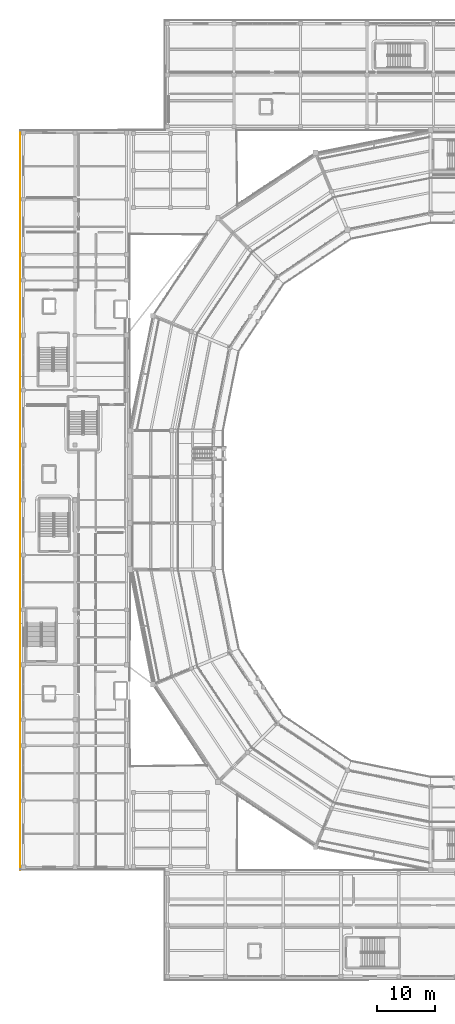
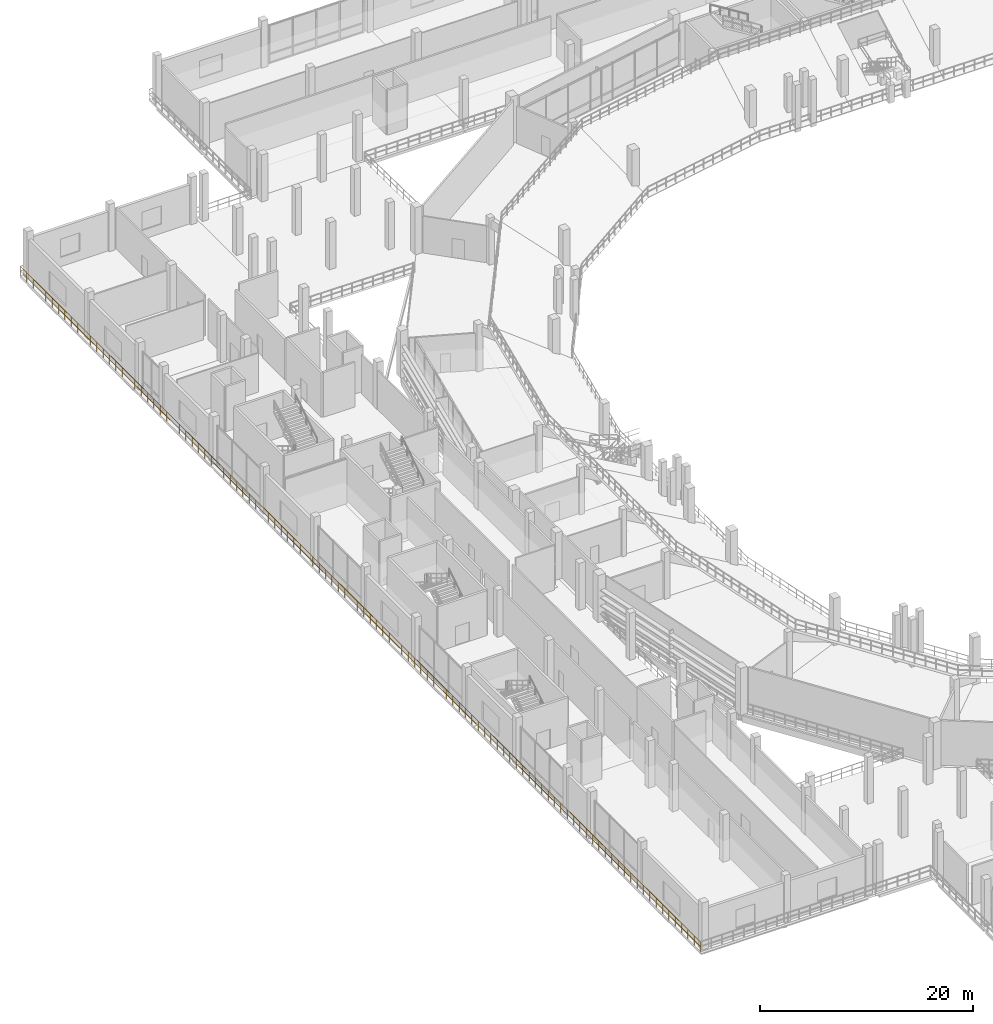
# One storey, part 104 of 127: 1 railing.
"""IFC4 building model written with IfcOpenShell, lengths in metres."""

from ifc_helpers import new_model, si_unit, direction, frame, origin, origin_2d, place, context, subcontext, project, spatial, circle, extrude, material, layer, layer_set, type_object, element, save


model = new_model("IFC4")

# Units and contexts
model_context = context("Model", 3, precision=1e-05, world=origin(), true_north=direction((0.0, 1.0)))
body_context = subcontext(model_context, "Body", "Model", "MODEL_VIEW")
ifc_project = project(units=[si_unit("LENGTHUNIT", "METRE"), si_unit("AREAUNIT", "SQUARE_METRE"), si_unit("VOLUMEUNIT", "CUBIC_METRE"), si_unit("PLANEANGLEUNIT", "RADIAN"), si_unit("MASSUNIT", "GRAM", prefix="KILO")], contexts=[model_context])

# Site, building, storey
site_placement = place(None, origin())
site = spatial("IfcSite", under=ifc_project, at=site_placement, CompositionType="ELEMENT")
building_placement = place(site_placement, origin())
building = spatial("IfcBuilding", under=site, at=building_placement, Name="Candeia Ridge Stadium", CompositionType="ELEMENT")
storey_placement = place(building_placement, frame((0.0, 0.0, 10.800048828125)))
storey = spatial("IfcBuildingStorey", under=building, at=storey_placement, Name="L02", CompositionType="ELEMENT", Elevation=10.800048828125)

# Railing
ifc_material = material(Name="Galvanized Powder-Coated Steel", Category="steel")
ifc_layer = layer(ifc_material, 0.074951171875, Name="Galvanized Powder-Coated Steel", Category="steel")
ifc_layer_set = layer_set([ifc_layer], Name="Galvanized Powder-Coated Steel")
railing_type = type_object("IfcRailingType", Name="Spectator Bowl Front Guardrail 1120", PredefinedType="GUARDRAIL", material=ifc_layer_set)
railing_placement = place(storey_placement, frame((0.0, 19.0, 0.0)))
element("IfcRailing", 1, at=railing_placement, inside=storey, type_object=railing_type, Name="Deck edge safety guardrail GR-DE-L02-0053", PredefinedType="GUARDRAIL", context=body_context, shape_type="SweptSolid", body=[
    extrude(circle(Radius=0.02392578125, at=origin_2d()), frame((0.0, 0.0, 1.09619140625), z_axis=(0.0, 1.0, 0.0), x_axis=(-1.0, 0.0, 0.0)), (0.0, 0.0, 1.0), 127.919921875),
    extrude(circle(Radius=0.02392578125, at=origin_2d()), frame((0.0, 0.0, 0.56005859375), z_axis=(0.0, 1.0, 0.0), x_axis=(-1.0, 0.0, 0.0)), (0.0, 0.0, 1.0), 127.919921875),
    extrude(circle(Radius=0.02099609375, at=origin_2d()), origin(), (0.0, 0.0, 1.0), 1.072021484375),
    extrude(circle(Radius=0.02099609375, at=origin_2d()), frame((0.0, 1.195556640625, 0.0)), (0.0, 0.0, 1.0), 1.072021484375),
    extrude(circle(Radius=0.02099609375, at=origin_2d()), frame((0.0, 2.39111328125, 0.0)), (0.0, 0.0, 1.0), 1.072021484375),
    extrude(circle(Radius=0.02099609375, at=origin_2d()), frame((0.0, 3.58642578125, 0.0)), (0.0, 0.0, 1.0), 1.072021484375),
    extrude(circle(Radius=0.02099609375, at=origin_2d()), frame((0.0, 4.781982421875, 0.0)), (0.0, 0.0, 1.0), 1.072021484375),
    extrude(circle(Radius=0.02099609375, at=origin_2d()), frame((0.0, 5.9775390625, 0.0)), (0.0, 0.0, 1.0), 1.072021484375),
    extrude(circle(Radius=0.02099609375, at=origin_2d()), frame((0.0, 7.173095703125, 0.0)), (0.0, 0.0, 1.0), 1.072021484375),
    extrude(circle(Radius=0.02099609375, at=origin_2d()), frame((0.0, 8.36865234375, 0.0)), (0.0, 0.0, 1.0), 1.072021484375),
    extrude(circle(Radius=0.02099609375, at=origin_2d()), frame((0.0, 9.564208984375, 0.0)), (0.0, 0.0, 1.0), 1.072021484375),
    extrude(circle(Radius=0.02099609375, at=origin_2d()), frame((0.0, 10.759521484375, 0.0)), (0.0, 0.0, 1.0), 1.072021484375),
    extrude(circle(Radius=0.02099609375, at=origin_2d()), frame((0.0, 11.955078125, 0.0)), (0.0, 0.0, 1.0), 1.072021484375),
    extrude(circle(Radius=0.02099609375, at=origin_2d()), frame((0.0, 13.150634765625, 0.0)), (0.0, 0.0, 1.0), 1.072021484375),
    extrude(circle(Radius=0.02099609375, at=origin_2d()), frame((0.0, 14.34619140625, 0.0)), (0.0, 0.0, 1.0), 1.072021484375),
    extrude(circle(Radius=0.02099609375, at=origin_2d()), frame((0.0, 15.541748046875, 0.0)), (0.0, 0.0, 1.0), 1.072021484375),
    extrude(circle(Radius=0.02099609375, at=origin_2d()), frame((0.0, 16.7373046875, 0.0)), (0.0, 0.0, 1.0), 1.072021484375),
    extrude(circle(Radius=0.02099609375, at=origin_2d()), frame((0.0, 17.9326171875, 0.0)), (0.0, 0.0, 1.0), 1.072021484375),
    extrude(circle(Radius=0.02099609375, at=origin_2d()), frame((0.0, 19.128173828125, 0.0)), (0.0, 0.0, 1.0), 1.072021484375),
    extrude(circle(Radius=0.02099609375, at=origin_2d()), frame((0.0, 20.32373046875, 0.0)), (0.0, 0.0, 1.0), 1.072021484375),
    extrude(circle(Radius=0.02099609375, at=origin_2d()), frame((0.0, 21.519287109375, 0.0)), (0.0, 0.0, 1.0), 1.072021484375),
    extrude(circle(Radius=0.02099609375, at=origin_2d()), frame((0.0, 22.71484375, 0.0)), (0.0, 0.0, 1.0), 1.072021484375),
    extrude(circle(Radius=0.02099609375, at=origin_2d()), frame((0.0, 23.91015625, 0.0)), (0.0, 0.0, 1.0), 1.072021484375),
    extrude(circle(Radius=0.02099609375, at=origin_2d()), frame((0.0, 25.105712890625, 0.0)), (0.0, 0.0, 1.0), 1.072021484375),
    extrude(circle(Radius=0.02099609375, at=origin_2d()), frame((0.0, 26.30126953125, 0.0)), (0.0, 0.0, 1.0), 1.072021484375),
    extrude(circle(Radius=0.02099609375, at=origin_2d()), frame((0.0, 27.496826171875, 0.0)), (0.0, 0.0, 1.0), 1.072021484375),
    extrude(circle(Radius=0.02099609375, at=origin_2d()), frame((0.0, 28.6923828125, 0.0)), (0.0, 0.0, 1.0), 1.072021484375),
    extrude(circle(Radius=0.02099609375, at=origin_2d()), frame((0.0, 29.887939453125, 0.0)), (0.0, 0.0, 1.0), 1.072021484375),
    extrude(circle(Radius=0.02099609375, at=origin_2d()), frame((0.0, 31.083251953125, 0.0)), (0.0, 0.0, 1.0), 1.072021484375),
    extrude(circle(Radius=0.02099609375, at=origin_2d()), frame((0.0, 32.27880859375, 0.0)), (0.0, 0.0, 1.0), 1.072021484375),
    extrude(circle(Radius=0.02099609375, at=origin_2d()), frame((0.0, 33.474365234375, 0.0)), (0.0, 0.0, 1.0), 1.072021484375),
    extrude(circle(Radius=0.02099609375, at=origin_2d()), frame((0.0, 34.669921875, 0.0)), (0.0, 0.0, 1.0), 1.072021484375),
    extrude(circle(Radius=0.02099609375, at=origin_2d()), frame((0.0, 35.865478515625, 0.0)), (0.0, 0.0, 1.0), 1.072021484375),
    extrude(circle(Radius=0.02099609375, at=origin_2d()), frame((0.0, 37.060791015625, 0.0)), (0.0, 0.0, 1.0), 1.072021484375),
    extrude(circle(Radius=0.02099609375, at=origin_2d()), frame((0.0, 38.25634765625, 0.0)), (0.0, 0.0, 1.0), 1.072021484375),
    extrude(circle(Radius=0.02099609375, at=origin_2d()), frame((0.0, 39.451904296875, 0.0)), (0.0, 0.0, 1.0), 1.072021484375),
    extrude(circle(Radius=0.02099609375, at=origin_2d()), frame((0.0, 40.6474609375, 0.0)), (0.0, 0.0, 1.0), 1.072021484375),
    extrude(circle(Radius=0.02099609375, at=origin_2d()), frame((0.0, 41.843017578125, 0.0)), (0.0, 0.0, 1.0), 1.072021484375),
    extrude(circle(Radius=0.02099609375, at=origin_2d()), frame((0.0, 43.03857421875, 0.0)), (0.0, 0.0, 1.0), 1.072021484375),
    extrude(circle(Radius=0.02099609375, at=origin_2d()), frame((0.0, 44.23388671875, 0.0)), (0.0, 0.0, 1.0), 1.072021484375),
    extrude(circle(Radius=0.02099609375, at=origin_2d()), frame((0.0, 45.429443359375, 0.0)), (0.0, 0.0, 1.0), 1.072021484375),
    extrude(circle(Radius=0.02099609375, at=origin_2d()), frame((0.0, 46.625, 0.0)), (0.0, 0.0, 1.0), 1.072021484375),
    extrude(circle(Radius=0.02099609375, at=origin_2d()), frame((0.0, 47.820556640625, 0.0)), (0.0, 0.0, 1.0), 1.072021484375),
    extrude(circle(Radius=0.02099609375, at=origin_2d()), frame((0.0, 49.01611328125, 0.0)), (0.0, 0.0, 1.0), 1.072021484375),
    extrude(circle(Radius=0.02099609375, at=origin_2d()), frame((0.0, 50.211669921875, 0.0)), (0.0, 0.0, 1.0), 1.072021484375),
    extrude(circle(Radius=0.02099609375, at=origin_2d()), frame((0.0, 51.406982421875, 0.0)), (0.0, 0.0, 1.0), 1.072021484375),
    extrude(circle(Radius=0.02099609375, at=origin_2d()), frame((0.0, 52.6025390625, 0.0)), (0.0, 0.0, 1.0), 1.072021484375),
    extrude(circle(Radius=0.02099609375, at=origin_2d()), frame((0.0, 53.798095703125, 0.0)), (0.0, 0.0, 1.0), 1.072021484375),
    extrude(circle(Radius=0.02099609375, at=origin_2d()), frame((0.0, 54.99365234375, 0.0)), (0.0, 0.0, 1.0), 1.072021484375),
    extrude(circle(Radius=0.02099609375, at=origin_2d()), frame((0.0, 56.189208984375, 0.0)), (0.0, 0.0, 1.0), 1.072021484375),
    extrude(circle(Radius=0.02099609375, at=origin_2d()), frame((0.0, 57.384521484375, 0.0)), (0.0, 0.0, 1.0), 1.072021484375),
    extrude(circle(Radius=0.02099609375, at=origin_2d()), frame((0.0, 58.580078125, 0.0)), (0.0, 0.0, 1.0), 1.072021484375),
    extrude(circle(Radius=0.02099609375, at=origin_2d()), frame((0.0, 59.775634765625, 0.0)), (0.0, 0.0, 1.0), 1.072021484375),
    extrude(circle(Radius=0.02099609375, at=origin_2d()), frame((0.0, 60.97119140625, 0.0)), (0.0, 0.0, 1.0), 1.072021484375),
    extrude(circle(Radius=0.02099609375, at=origin_2d()), frame((0.0, 62.166748046875, 0.0)), (0.0, 0.0, 1.0), 1.072021484375),
    extrude(circle(Radius=0.02099609375, at=origin_2d()), frame((0.0, 63.3623046875, 0.0)), (0.0, 0.0, 1.0), 1.072021484375),
    extrude(circle(Radius=0.02099609375, at=origin_2d()), frame((0.0, 64.5576171875, 0.0)), (0.0, 0.0, 1.0), 1.072021484375),
    extrude(circle(Radius=0.02099609375, at=origin_2d()), frame((0.0, 65.753173828125, 0.0)), (0.0, 0.0, 1.0), 1.072021484375),
    extrude(circle(Radius=0.02099609375, at=origin_2d()), frame((0.0, 66.94873046875, 0.0)), (0.0, 0.0, 1.0), 1.072021484375),
    extrude(circle(Radius=0.02099609375, at=origin_2d()), frame((0.0, 68.144287109375, 0.0)), (0.0, 0.0, 1.0), 1.072021484375),
    extrude(circle(Radius=0.02099609375, at=origin_2d()), frame((0.0, 69.33984375, 0.0)), (0.0, 0.0, 1.0), 1.072021484375),
    extrude(circle(Radius=0.02099609375, at=origin_2d()), frame((0.0, 70.535400390625, 0.0)), (0.0, 0.0, 1.0), 1.072021484375),
    extrude(circle(Radius=0.02099609375, at=origin_2d()), frame((0.0, 71.730712890625, 0.0)), (0.0, 0.0, 1.0), 1.072021484375),
    extrude(circle(Radius=0.02099609375, at=origin_2d()), frame((0.0, 72.92626953125, 0.0)), (0.0, 0.0, 1.0), 1.072021484375),
    extrude(circle(Radius=0.02099609375, at=origin_2d()), frame((0.0, 74.121826171875, 0.0)), (0.0, 0.0, 1.0), 1.072021484375),
    extrude(circle(Radius=0.02099609375, at=origin_2d()), frame((0.0, 75.3173828125, 0.0)), (0.0, 0.0, 1.0), 1.072021484375),
    extrude(circle(Radius=0.02099609375, at=origin_2d()), frame((0.0, 76.512939453125, 0.0)), (0.0, 0.0, 1.0), 1.072021484375),
    extrude(circle(Radius=0.02099609375, at=origin_2d()), frame((0.0, 77.708251953125, 0.0)), (0.0, 0.0, 1.0), 1.072021484375),
    extrude(circle(Radius=0.02099609375, at=origin_2d()), frame((0.0, 78.90380859375, 0.0)), (0.0, 0.0, 1.0), 1.072021484375),
    extrude(circle(Radius=0.02099609375, at=origin_2d()), frame((0.0, 80.099365234375, 0.0)), (0.0, 0.0, 1.0), 1.072021484375),
    extrude(circle(Radius=0.02099609375, at=origin_2d()), frame((0.0, 81.294921875, 0.0)), (0.0, 0.0, 1.0), 1.072021484375),
    extrude(circle(Radius=0.02099609375, at=origin_2d()), frame((0.0, 82.490478515625, 0.0)), (0.0, 0.0, 1.0), 1.072021484375),
    extrude(circle(Radius=0.02099609375, at=origin_2d()), frame((0.0, 83.68603515625, 0.0)), (0.0, 0.0, 1.0), 1.072021484375),
    extrude(circle(Radius=0.02099609375, at=origin_2d()), frame((0.0, 84.88134765625, 0.0)), (0.0, 0.0, 1.0), 1.072021484375),
    extrude(circle(Radius=0.02099609375, at=origin_2d()), frame((0.0, 86.076904296875, 0.0)), (0.0, 0.0, 1.0), 1.072021484375),
    extrude(circle(Radius=0.02099609375, at=origin_2d()), frame((0.0, 87.2724609375, 0.0)), (0.0, 0.0, 1.0), 1.072021484375),
    extrude(circle(Radius=0.02099609375, at=origin_2d()), frame((0.0, 88.468017578125, 0.0)), (0.0, 0.0, 1.0), 1.072021484375),
    extrude(circle(Radius=0.02099609375, at=origin_2d()), frame((0.0, 89.66357421875, 0.0)), (0.0, 0.0, 1.0), 1.072021484375),
    extrude(circle(Radius=0.02099609375, at=origin_2d()), frame((0.0, 90.859130859375, 0.0)), (0.0, 0.0, 1.0), 1.072021484375),
    extrude(circle(Radius=0.02099609375, at=origin_2d()), frame((0.0, 92.054443359375, 0.0)), (0.0, 0.0, 1.0), 1.072021484375),
    extrude(circle(Radius=0.02099609375, at=origin_2d()), frame((0.0, 93.25, 0.0)), (0.0, 0.0, 1.0), 1.072021484375),
    extrude(circle(Radius=0.02099609375, at=origin_2d()), frame((0.0, 94.445556640625, 0.0)), (0.0, 0.0, 1.0), 1.072021484375),
    extrude(circle(Radius=0.02099609375, at=origin_2d()), frame((0.0, 95.64111328125, 0.0)), (0.0, 0.0, 1.0), 1.072021484375),
    extrude(circle(Radius=0.02099609375, at=origin_2d()), frame((0.0, 96.836669921875, 0.0)), (0.0, 0.0, 1.0), 1.072021484375),
    extrude(circle(Radius=0.02099609375, at=origin_2d()), frame((0.0, 98.031982421875, 0.0)), (0.0, 0.0, 1.0), 1.072021484375),
    extrude(circle(Radius=0.02099609375, at=origin_2d()), frame((0.0, 99.2275390625, 0.0)), (0.0, 0.0, 1.0), 1.072021484375),
    extrude(circle(Radius=0.02099609375, at=origin_2d()), frame((0.0, 100.423095703125, 0.0)), (0.0, 0.0, 1.0), 1.072021484375),
    extrude(circle(Radius=0.02099609375, at=origin_2d()), frame((0.0, 101.61865234375, 0.0)), (0.0, 0.0, 1.0), 1.072021484375),
    extrude(circle(Radius=0.02099609375, at=origin_2d()), frame((0.0, 102.814208984375, 0.0)), (0.0, 0.0, 1.0), 1.072021484375),
    extrude(circle(Radius=0.02099609375, at=origin_2d()), frame((0.0, 104.009765625, 0.0)), (0.0, 0.0, 1.0), 1.072021484375),
    extrude(circle(Radius=0.02099609375, at=origin_2d()), frame((0.0, 105.205078125, 0.0)), (0.0, 0.0, 1.0), 1.072021484375),
    extrude(circle(Radius=0.02099609375, at=origin_2d()), frame((0.0, 106.400634765625, 0.0)), (0.0, 0.0, 1.0), 1.072021484375),
    extrude(circle(Radius=0.02099609375, at=origin_2d()), frame((0.0, 107.59619140625, 0.0)), (0.0, 0.0, 1.0), 1.072021484375),
    extrude(circle(Radius=0.02099609375, at=origin_2d()), frame((0.0, 108.791748046875, 0.0)), (0.0, 0.0, 1.0), 1.072021484375),
    extrude(circle(Radius=0.02099609375, at=origin_2d()), frame((0.0, 109.9873046875, 0.0)), (0.0, 0.0, 1.0), 1.072021484375),
    extrude(circle(Radius=0.02099609375, at=origin_2d()), frame((0.0, 111.1826171875, 0.0)), (0.0, 0.0, 1.0), 1.072021484375),
    extrude(circle(Radius=0.02099609375, at=origin_2d()), frame((0.0, 112.378173828125, 0.0)), (0.0, 0.0, 1.0), 1.072021484375),
    extrude(circle(Radius=0.02099609375, at=origin_2d()), frame((0.0, 113.57373046875, 0.0)), (0.0, 0.0, 1.0), 1.072021484375),
    extrude(circle(Radius=0.02099609375, at=origin_2d()), frame((0.0, 114.769287109375, 0.0)), (0.0, 0.0, 1.0), 1.072021484375),
    extrude(circle(Radius=0.02099609375, at=origin_2d()), frame((0.0, 115.96484375, 0.0)), (0.0, 0.0, 1.0), 1.072021484375),
    extrude(circle(Radius=0.02099609375, at=origin_2d()), frame((0.0, 117.160400390625, 0.0)), (0.0, 0.0, 1.0), 1.072021484375),
    extrude(circle(Radius=0.02099609375, at=origin_2d()), frame((0.0, 118.355712890625, 0.0)), (0.0, 0.0, 1.0), 1.072021484375),
    extrude(circle(Radius=0.02099609375, at=origin_2d()), frame((0.0, 119.55126953125, 0.0)), (0.0, 0.0, 1.0), 1.072021484375),
    extrude(circle(Radius=0.02099609375, at=origin_2d()), frame((0.0, 120.746826171875, 0.0)), (0.0, 0.0, 1.0), 1.072021484375),
    extrude(circle(Radius=0.02099609375, at=origin_2d()), frame((0.0, 121.9423828125, 0.0)), (0.0, 0.0, 1.0), 1.072021484375),
    extrude(circle(Radius=0.02099609375, at=origin_2d()), frame((0.0, 123.137939453125, 0.0)), (0.0, 0.0, 1.0), 1.072021484375),
    extrude(circle(Radius=0.02099609375, at=origin_2d()), frame((0.0, 124.33349609375, 0.0)), (0.0, 0.0, 1.0), 1.072021484375),
    extrude(circle(Radius=0.02099609375, at=origin_2d()), frame((0.0, 125.52880859375, 0.0)), (0.0, 0.0, 1.0), 1.072021484375),
    extrude(circle(Radius=0.02099609375, at=origin_2d()), frame((0.0, 126.724365234375, 0.0)), (0.0, 0.0, 1.0), 1.072021484375),
    extrude(circle(Radius=0.02099609375, at=origin_2d()), frame((0.0, 127.919921875, 0.0)), (0.0, 0.0, 1.0), 1.072021484375),
])

save(model, "model.ifc")
